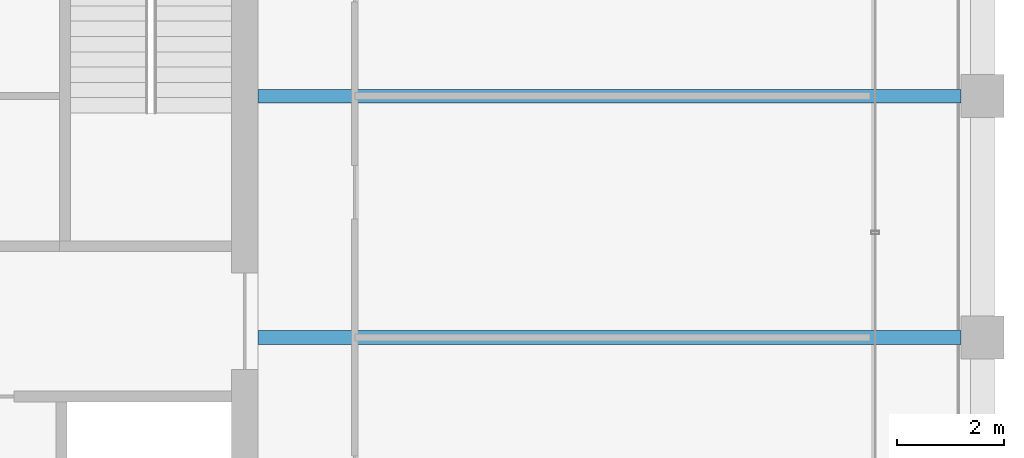
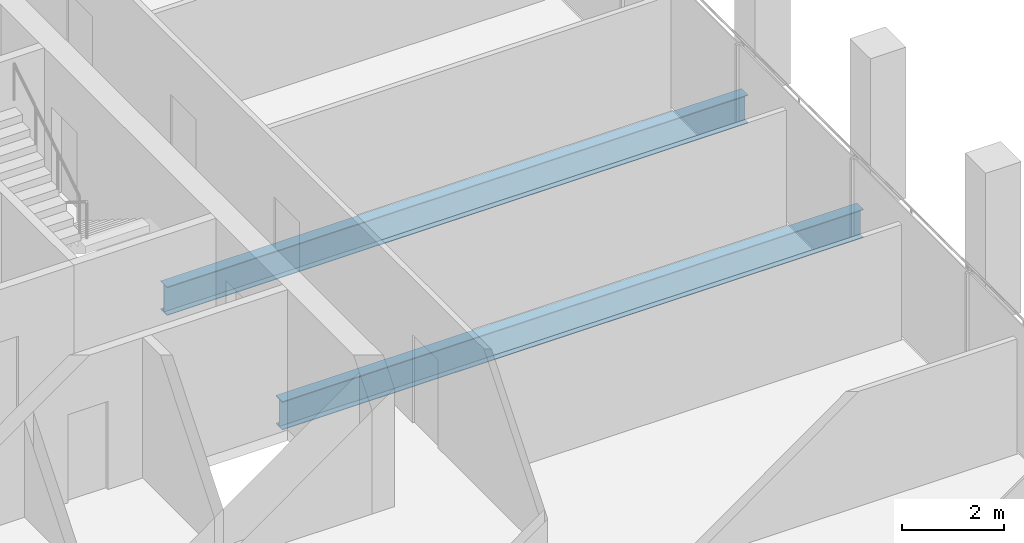
# One storey, part 16 of 30: 2 beams.
"""IFC4 building model written with IfcOpenShell, lengths in metres."""

from ifc_helpers import new_model, si_unit, direction, frame, origin, origin_2d, place, context, subcontext, project, spatial, i_section, extrude, material, material_profile, profile_set, type_object, element, save


model = new_model("IFC4")

# Units and contexts
model_context = context("Model", 3, precision=1e-05, world=origin(), true_north=direction((0.0, 1.0)))
body_context = subcontext(model_context, "Body", "Model", "MODEL_VIEW")
ifc_project = project(units=[si_unit("LENGTHUNIT", "METRE"), si_unit("AREAUNIT", "SQUARE_METRE"), si_unit("VOLUMEUNIT", "CUBIC_METRE"), si_unit("PLANEANGLEUNIT", "RADIAN"), si_unit("MASSUNIT", "GRAM", prefix="KILO")], contexts=[model_context])

# Site, building, storey
site_placement = place(None, origin())
site = spatial("IfcSite", under=ifc_project, at=site_placement, CompositionType="ELEMENT")
building_placement = place(site_placement, origin())
building = spatial("IfcBuilding", under=site, at=building_placement, Name="Altepetl Exchange Towers", CompositionType="ELEMENT")
storey_placement = place(building_placement, frame((0.0, 0.0, 213.60009765625)))
storey = spatial("IfcBuildingStorey", under=building, at=storey_placement, Name="L54", CompositionType="ELEMENT", Elevation=213.60009765625)

# Beams
ifc_material = material(Name="Steel S355", Category="steel")
ifc_material_profile = material_profile(ifc_material, i_section(OverallWidth=0.2529296875, OverallDepth=0.677978515625, WebThickness=0.01171875, FlangeThickness=0.016357421875, at=origin_2d()), Name="W27X84")
ifc_profile_set = profile_set([ifc_material_profile], Name="Steel S355")
beam_type = type_object("IfcBeamType", Name="Floor beam W27X84", PredefinedType="BEAM", material=ifc_profile_set)
for number, where, z_axis, x_axis, name in (
    (1, (58.5, 45.0, -0.489013671875), (1.0, 0.0, 0.0), (0.0, 1.0, 0.0), "bm:A:L54:009"),
    (2, (58.5, 49.5, -0.489013671875), (1.0, 0.0, 0.0), (0.0, 1.0, 0.0), "bm:A:L54:010"),
):
    element("IfcBeam", number, at=place(storey_placement, frame(where, z_axis=z_axis, x_axis=x_axis)), inside=storey, type_object=beam_type, Name=name, PredefinedType="BEAM", context=body_context, shape_type="SweptSolid", body=[
        extrude(i_section(OverallWidth=0.2529296875, OverallDepth=0.677978515625, WebThickness=0.01171875, FlangeThickness=0.016357421875, at=origin_2d()), origin(), (0.0, 0.0, 1.0), 13.10009765625),
    ])

save(model, "model.ifc")
